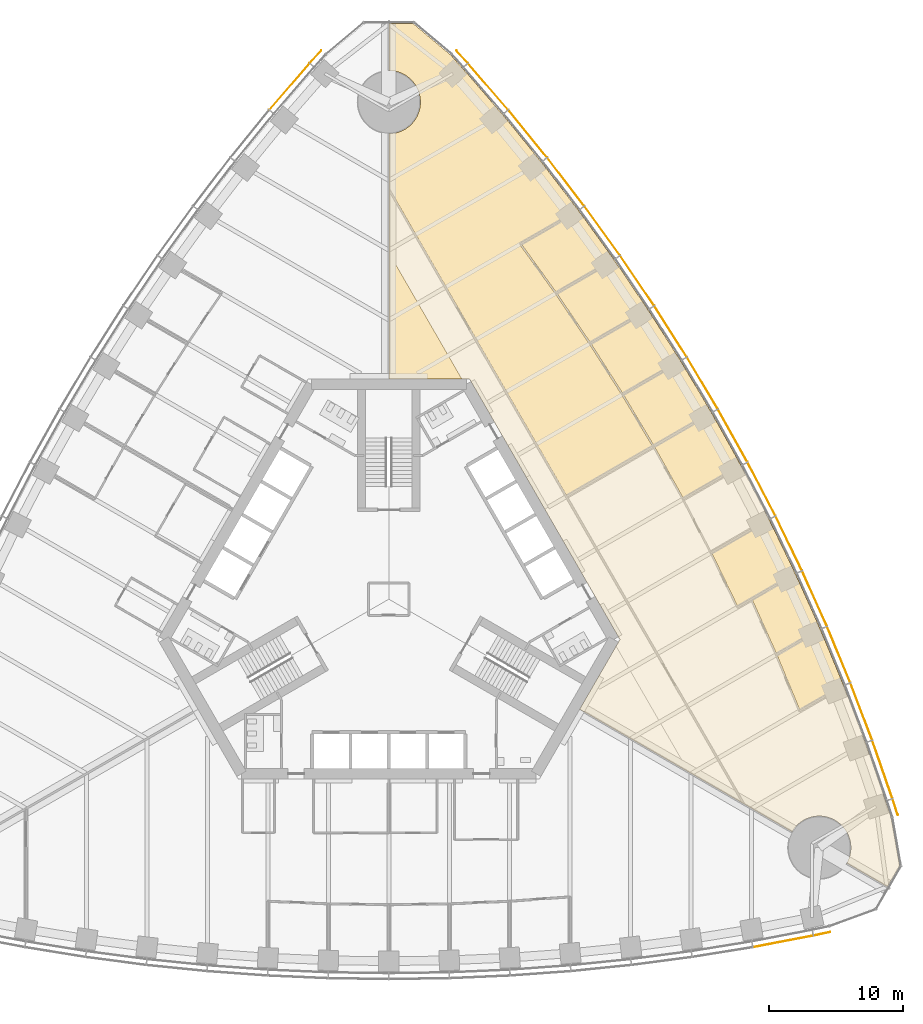
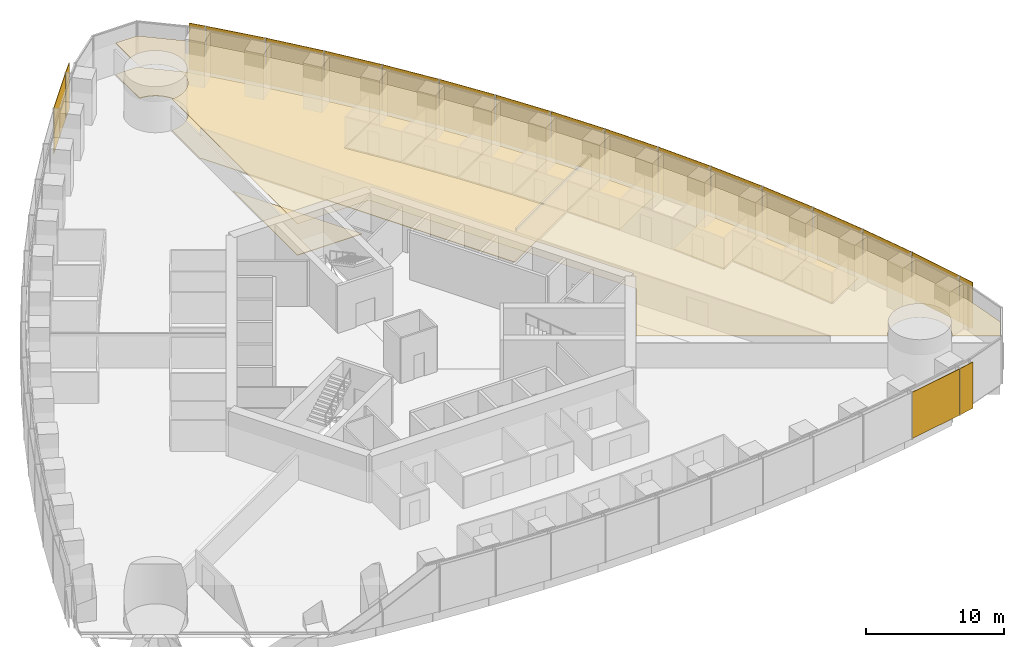
# One storey, part 16 of 18: 20 shading devices, 11 coverings.
"""IFC4 building model written with IfcOpenShell, lengths in metres."""

from ifc_helpers import new_model, si_unit, direction, frame, origin, origin_2d, place, context, subcontext, project, spatial, polyline, rectangle, outline, extrude, material, layer, layer_set, type_object, element, save


model = new_model("IFC4")

# Units and contexts
model_context = context("Model", 3, precision=1e-05, world=origin(), true_north=direction((0.0, 1.0)))
body_context = subcontext(model_context, "Body", "Model", "MODEL_VIEW")
ifc_project = project(units=[si_unit("LENGTHUNIT", "METRE"), si_unit("AREAUNIT", "SQUARE_METRE"), si_unit("VOLUMEUNIT", "CUBIC_METRE"), si_unit("PLANEANGLEUNIT", "RADIAN"), si_unit("MASSUNIT", "GRAM", prefix="KILO")], contexts=[model_context])

# Site, building, storey
site_placement = place(None, origin())
site = spatial("IfcSite", under=ifc_project, at=site_placement, CompositionType="ELEMENT")
building_placement = place(site_placement, origin())
building = spatial("IfcBuilding", under=site, at=building_placement, Name="Trefoil Bronze Tower", CompositionType="ELEMENT")
storey_placement = place(building_placement, frame((0.0, 0.0, 41.699951171875)))
storey = spatial("IfcBuildingStorey", under=building, at=storey_placement, Name="L09", CompositionType="ELEMENT", Elevation=41.699951171875)

# Shading devices
ifc_material_1 = material(Name="Perforated bronze sheet", Category="bronze")
ifc_layer_1 = layer(ifc_material_1, 0.0400390625)
ifc_layer_set_1 = layer_set([ifc_layer_1], Name="Bronze solar screen panel")
shading_device_type = type_object("IfcShadingDeviceType", Name="Bronze solar screen panel", PredefinedType="SHUTTER", material=ifc_layer_set_1)
shading_device_1_placement = place(storey_placement, frame((29.351806640625, -25.478515625, 0.050048828125), z_axis=(0.0, 0.0, 1.0), x_axis=(0.982049823817, 0.188621694249, 0.0)))
element("IfcShadingDevice", 1, at=shading_device_1_placement, inside=storey, type_object=shading_device_type, Name="Solar screen CW-A L09 F1 bay 15", PredefinedType="SHUTTER", context=body_context, shape_type="SweptSolid", body=[
    extrude(rectangle(XDim=4.55224609375, YDim=0.0400390625, at=origin_2d()), origin(), (0.0, 0.0, 1.0), 4.10009765625),
])
for number, where, z_axis, x_axis, name in (
    (2, (32.2431640625, -24.91064453125, 0.050048828125), (0.0, 0.0, 1.0), (0.978302717041, 0.207180582657, 0.0), "Solar screen CW-A L09 F1 bay 16"),
    (3, (37.69482421875, -15.468017578125, 0.050048828125), (0.0, 0.0, 1.0), (-0.309727710769, 0.950825296877, 0.0), "Solar screen CW-A L09 F2 bay 1"),
):
    element("IfcShadingDevice", number, at=place(storey_placement, frame(where, z_axis=z_axis, x_axis=x_axis)), inside=storey, type_object=shading_device_type, Name=name, PredefinedType="SHUTTER", context=body_context, shape_type="SweptSolid", body=[
        extrude(rectangle(XDim=1.260498046875, YDim=0.0400390625, at=origin_2d()), origin(), (0.0, 0.0, 1.0), 4.10009765625),
    ])
shading_device_2_placement = place(storey_placement, frame((36.740966796875, -12.68017578125, 0.050048828125), z_axis=(0.0, 0.0, 1.0), x_axis=(-0.327673732984, 0.944790942332, 0.0)))
element("IfcShadingDevice", 4, at=shading_device_2_placement, inside=storey, type_object=shading_device_type, Name="Solar screen CW-A L09 F2 bay 2", PredefinedType="SHUTTER", context=body_context, shape_type="SweptSolid", body=[
    extrude(rectangle(XDim=4.55224609375, YDim=0.0400390625, at=origin_2d()), origin(), (0.0, 0.0, 1.0), 4.10009765625),
])
shading_device_3_placement = place(storey_placement, frame((35.1748046875, -8.3701171875, 0.050048828125), z_axis=(0.0, 0.0, 1.0), x_axis=(-0.355370585687, 0.934725492767, 0.0)))
element("IfcShadingDevice", 5, at=shading_device_3_placement, inside=storey, type_object=shading_device_type, Name="Solar screen CW-A L09 F2 bay 3", PredefinedType="SHUTTER", context=body_context, shape_type="SweptSolid", body=[
    extrude(rectangle(XDim=4.5283203125, YDim=0.0400390625, at=origin_2d()), origin(), (0.0, 0.0, 1.0), 4.10009765625),
])
shading_device_4_placement = place(storey_placement, frame((33.49072265625, -4.128173828125, 0.050048828125), z_axis=(0.0, 0.0, 1.0), x_axis=(-0.382629580712, 0.923901836758, 0.0)))
element("IfcShadingDevice", 6, at=shading_device_4_placement, inside=storey, type_object=shading_device_type, Name="Solar screen CW-A L09 F2 bay 4", PredefinedType="SHUTTER", context=body_context, shape_type="SweptSolid", body=[
    extrude(rectangle(XDim=4.5087890625, YDim=0.0400390625, at=origin_2d()), origin(), (0.0, 0.0, 1.0), 4.10009765625),
])
shading_device_5_placement = place(storey_placement, frame((31.68994140625, 0.04638671875, 0.050048828125), z_axis=(0.0, 0.0, 1.0), x_axis=(-0.40945635808, 0.912329705111, 0.0)))
element("IfcShadingDevice", 7, at=shading_device_5_placement, inside=storey, type_object=shading_device_type, Name="Solar screen CW-A L09 F2 bay 5", PredefinedType="SHUTTER", context=body_context, shape_type="SweptSolid", body=[
    extrude(rectangle(XDim=4.493408203125, YDim=0.0400390625, at=origin_2d()), origin(), (0.0, 0.0, 1.0), 4.10009765625),
])
shading_device_6_placement = place(storey_placement, frame((29.77392578125, 4.154541015625, 0.050048828125), z_axis=(0.0, 0.0, 1.0), x_axis=(-0.4358553457, 0.900016731858, 0.0)))
element("IfcShadingDevice", 8, at=shading_device_6_placement, inside=storey, type_object=shading_device_type, Name="Solar screen CW-A L09 F2 bay 6", PredefinedType="SHUTTER", context=body_context, shape_type="SweptSolid", body=[
    extrude(rectangle(XDim=4.48193359375, YDim=0.0400390625, at=origin_2d()), origin(), (0.0, 0.0, 1.0), 4.10009765625),
])
shading_device_7_placement = place(storey_placement, frame((27.74365234375, 8.1962890625, 0.050048828125), z_axis=(0.0, 0.0, 1.0), x_axis=(-0.46182981834, 0.886968555752, 0.0)))
element("IfcShadingDevice", 9, at=shading_device_7_placement, inside=storey, type_object=shading_device_type, Name="Solar screen CW-A L09 F2 bay 7", PredefinedType="SHUTTER", context=body_context, shape_type="SweptSolid", body=[
    extrude(rectangle(XDim=4.474365234375, YDim=0.0400390625, at=origin_2d()), origin(), (0.0, 0.0, 1.0), 4.10009765625),
])
for number, where, z_axis, x_axis, name in (
    (10, (25.599365234375, 12.172607421875, 0.050048828125), (0.0, 0.0, 1.0), (-0.487381940453, 0.873188893722, 0.0), "Solar screen CW-A L09 F2 bay 8"),
    (11, (23.341552734375, 16.083251953125, 0.050048828125), (0.0, 0.0, 1.0), (-0.51251279404, 0.858679588639, 0.0), "Solar screen CW-A L09 F2 bay 9"),
):
    element("IfcShadingDevice", number, at=place(storey_placement, frame(where, z_axis=z_axis, x_axis=x_axis)), inside=storey, type_object=shading_device_type, Name=name, PredefinedType="SHUTTER", context=body_context, shape_type="SweptSolid", body=[
        extrude(rectangle(XDim=4.470458984375, YDim=0.0400390625, at=origin_2d()), origin(), (0.0, 0.0, 1.0), 4.10009765625),
    ])
shading_device_8_placement = place(storey_placement, frame((20.97021484375, 19.928466796875, 0.050048828125), z_axis=(0.0, 0.0, 1.0), x_axis=(-0.537222392469, 0.843440632783, 0.0)))
element("IfcShadingDevice", 12, at=shading_device_8_placement, inside=storey, type_object=shading_device_type, Name="Solar screen CW-A L09 F2 bay 10", PredefinedType="SHUTTER", context=body_context, shape_type="SweptSolid", body=[
    extrude(rectangle(XDim=4.474365234375, YDim=0.0400390625, at=origin_2d()), origin(), (0.0, 0.0, 1.0), 4.10009765625),
])
shading_device_9_placement = place(storey_placement, frame((18.48486328125, 23.707763671875, 0.050048828125), z_axis=(0.0, 0.0, 1.0), x_axis=(-0.56150968077, 0.827470167681, 0.0)))
element("IfcShadingDevice", 13, at=shading_device_9_placement, inside=storey, type_object=shading_device_type, Name="Solar screen CW-A L09 F2 bay 11", PredefinedType="SHUTTER", context=body_context, shape_type="SweptSolid", body=[
    extrude(rectangle(XDim=4.48193359375, YDim=0.0400390625, at=origin_2d()), origin(), (0.0, 0.0, 1.0), 4.10009765625),
])
shading_device_10_placement = place(storey_placement, frame((15.88525390625, 27.421142578125, 0.050048828125), z_axis=(0.0, 0.0, 1.0), x_axis=(-0.585372522213, 0.810764460394, 0.0)))
element("IfcShadingDevice", 14, at=shading_device_10_placement, inside=storey, type_object=shading_device_type, Name="Solar screen CW-A L09 F2 bay 12", PredefinedType="SHUTTER", context=body_context, shape_type="SweptSolid", body=[
    extrude(rectangle(XDim=4.493408203125, YDim=0.0400390625, at=origin_2d()), origin(), (0.0, 0.0, 1.0), 4.10009765625),
])
shading_device_11_placement = place(storey_placement, frame((13.170166015625, 31.06787109375, 0.050048828125), z_axis=(0.0, 0.0, 1.0), x_axis=(-0.608807670879, 0.793317855515, 0.0)))
element("IfcShadingDevice", 15, at=shading_device_11_placement, inside=storey, type_object=shading_device_type, Name="Solar screen CW-A L09 F2 bay 13", PredefinedType="SHUTTER", context=body_context, shape_type="SweptSolid", body=[
    extrude(rectangle(XDim=4.5087890625, YDim=0.0400390625, at=origin_2d()), origin(), (0.0, 0.0, 1.0), 4.10009765625),
])
shading_device_12_placement = place(storey_placement, frame((10.338623046875, 34.6474609375, 0.050048828125), z_axis=(0.0, 0.0, 1.0), x_axis=(-0.631810729457, 0.775122701346, 0.0)))
element("IfcShadingDevice", 16, at=shading_device_12_placement, inside=storey, type_object=shading_device_type, Name="Solar screen CW-A L09 F2 bay 14", PredefinedType="SHUTTER", context=body_context, shape_type="SweptSolid", body=[
    extrude(rectangle(XDim=4.5283203125, YDim=0.0400390625, at=origin_2d()), origin(), (0.0, 0.0, 1.0), 4.10009765625),
])
shading_device_13_placement = place(storey_placement, frame((7.38916015625, 38.15869140625, 0.050048828125), z_axis=(0.0, 0.0, 1.0), x_axis=(-0.654376090833, 0.756169248083, 0.0)))
element("IfcShadingDevice", 17, at=shading_device_13_placement, inside=storey, type_object=shading_device_type, Name="Solar screen CW-A L09 F2 bay 15", PredefinedType="SHUTTER", context=body_context, shape_type="SweptSolid", body=[
    extrude(rectangle(XDim=4.55224609375, YDim=0.0400390625, at=origin_2d()), origin(), (0.0, 0.0, 1.0), 4.10009765625),
])
for number, where, z_axis, x_axis, name in (
    (18, (5.45166015625, 40.378662109375, 0.050048828125), (0.0, 0.0, 1.0), (-0.668575006272, 0.743644714221, 0.0), "Solar screen CW-A L09 F2 bay 16"),
    (19, (-5.45166015625, 40.378662109375, 0.050048828125), (0.0, 0.0, 1.0), (-0.668575006272, -0.743644714221, 0.0), "Solar screen CW-A L09 F3 bay 1"),
):
    element("IfcShadingDevice", number, at=place(storey_placement, frame(where, z_axis=z_axis, x_axis=x_axis)), inside=storey, type_object=shading_device_type, Name=name, PredefinedType="SHUTTER", context=body_context, shape_type="SweptSolid", body=[
        extrude(rectangle(XDim=1.260498046875, YDim=0.0400390625, at=origin_2d()), origin(), (0.0, 0.0, 1.0), 4.10009765625),
    ])
shading_device_14_placement = place(storey_placement, frame((-7.38916015625, 38.15869140625, 0.050048828125), z_axis=(0.0, 0.0, 1.0), x_axis=(-0.654376090833, -0.756169248083, 0.0)))
element("IfcShadingDevice", 20, at=shading_device_14_placement, inside=storey, type_object=shading_device_type, Name="Solar screen CW-A L09 F3 bay 2", PredefinedType="SHUTTER", context=body_context, shape_type="SweptSolid", body=[
    extrude(rectangle(XDim=4.55224609375, YDim=0.0400390625, at=origin_2d()), origin(), (0.0, 0.0, 1.0), 4.10009765625),
])

# Coverings
ifc_material_2 = material(Name="Acoustic ceiling panels", Category="mineral fibre")
ifc_layer_2 = layer(ifc_material_2, 0.02001953125)
ifc_layer_set_2 = layer_set([ifc_layer_2], Name="Office ceiling 20")
covering_type_1 = type_object("IfcCoveringType", Name="Office ceiling 20", PredefinedType="CEILING", material=ifc_layer_set_2)
covering_1_placement = place(storey_placement, frame((0.0, 0.0, 2.900146484375)))
element("IfcCovering", 21, at=covering_1_placement, inside=storey, type_object=covering_type_1, Name="Ceiling L09 Open-plan office F2", PredefinedType="CEILING", context=body_context, shape_type="SweptSolid", body=[
    extrude(outline(polyline([(5.4814453125, 39.537841796875), (8.47998046875, 36.072998046875), (11.360107421875, 32.53955078125), (14.123291015625, 28.938720703125), (16.771240234375, 25.271484375), (19.3046875, 21.537841796875), (21.724609375, 17.73876953125), (24.031005859375, 13.87451171875), (26.224609375, 9.944580078125), (28.3046875, 5.949462890625), (30.271240234375, 1.888671875), (32.123291015625, -2.23828125), (33.860107421875, -6.431640625), (35.47998046875, -10.6923828125), (36.9814453125, -15.021728515625), (37.381103515625, -16.248779296875), (38.0146484375, -19.841552734375), (37.110595703125, -21.4072265625), (34.084716796875, -19.661865234375), (34.115478515625, -19.60791015625), (34.167236328125, -19.5048828125), (34.214111328125, -19.3994140625), (34.255615234375, -19.291748046875), (34.291748046875, -19.18212890625), (34.322509765625, -19.071044921875), (34.347900390625, -18.95849609375), (34.367431640625, -18.8447265625), (34.381591796875, -18.730224609375), (34.39013671875, -18.615234375), (34.392822265625, -18.5), (34.39013671875, -18.384765625), (34.381591796875, -18.269775390625), (34.367431640625, -18.1552734375), (34.347900390625, -18.04150390625), (34.322509765625, -17.928955078125), (34.291748046875, -17.81787109375), (34.255615234375, -17.708251953125), (34.214111328125, -17.6005859375), (34.167236328125, -17.4951171875), (34.115478515625, -17.39208984375), (34.05859375, -17.2919921875), (33.996826171875, -17.1943359375), (33.930419921875, -17.10009765625), (33.859619140625, -17.00927734375), (33.7841796875, -16.921875), (33.70458984375, -16.83837890625), (33.62109375, -16.7587890625), (33.53369140625, -16.683349609375), (33.44287109375, -16.612548828125), (33.348388671875, -16.5458984375), (33.251220703125, -16.484375), (33.150634765625, -16.427490234375), (33.047607421875, -16.37548828125), (32.942138671875, -16.328857421875), (32.834716796875, -16.287353515625), (32.72509765625, -16.251220703125), (32.614013671875, -16.220458984375), (32.50146484375, -16.1953125), (32.3876953125, -16.17529296875), (32.273193359375, -16.161376953125), (32.158203125, -16.15283203125), (32.04296875, -16.14990234375), (31.927490234375, -16.15283203125), (31.8125, -16.161376953125), (31.697998046875, -16.17529296875), (31.58447265625, -16.1953125), (31.471923828125, -16.220458984375), (31.36083984375, -16.251220703125), (31.251220703125, -16.287353515625), (31.1435546875, -16.328857421875), (31.0380859375, -16.37548828125), (30.935302734375, -16.427490234375), (30.834716796875, -16.484375), (30.7373046875, -16.5458984375), (30.64306640625, -16.612548828125), (30.552001953125, -16.683349609375), (30.46484375, -16.7587890625), (30.381103515625, -16.83837890625), (30.3017578125, -16.921875), (30.226318359375, -17.00927734375), (30.155517578125, -17.10009765625), (30.089111328125, -17.1943359375), (30.02734375, -17.2919921875), (30.0146484375, -17.31396484375), (14.205810546875, -8.194580078125), (17.205078125, -3.0), (6.00439453125, 16.39990234375), (0.006103515625, 16.39990234375), (0.012939453125, 34.650390625), (0.115234375, 34.65283203125), (0.230224609375, 34.661376953125), (0.3447265625, 34.67529296875), (0.45849609375, 34.6953125), (0.571044921875, 34.720458984375), (0.68212890625, 34.751220703125), (0.791748046875, 34.787353515625), (0.8994140625, 34.828857421875), (1.0048828125, 34.87548828125), (1.10791015625, 34.927490234375), (1.2080078125, 34.984375), (1.3056640625, 35.0458984375), (1.39990234375, 35.112548828125), (1.49072265625, 35.183349609375), (1.578125, 35.2587890625), (1.66162109375, 35.33837890625), (1.7412109375, 35.421875), (1.816650390625, 35.50927734375), (1.887451171875, 35.60009765625), (1.9541015625, 35.6943359375), (2.015625, 35.7919921875), (2.072509765625, 35.89208984375), (2.12451171875, 35.9951171875), (2.171142578125, 36.1005859375), (2.212646484375, 36.208251953125), (2.248779296875, 36.31787109375), (2.279541015625, 36.428955078125), (2.3046875, 36.54150390625), (2.32470703125, 36.6552734375), (2.338623046875, 36.769775390625), (2.34716796875, 36.884765625), (2.35009765625, 37.0), (2.34716796875, 37.115234375), (2.338623046875, 37.230224609375), (2.32470703125, 37.3447265625), (2.3046875, 37.45849609375), (2.279541015625, 37.571044921875), (2.248779296875, 37.68212890625), (2.212646484375, 37.791748046875), (2.171142578125, 37.8994140625), (2.12451171875, 38.0048828125), (2.072509765625, 38.10791015625), (2.015625, 38.2080078125), (1.9541015625, 38.3056640625), (1.887451171875, 38.39990234375), (1.816650390625, 38.49072265625), (1.7412109375, 38.578125), (1.66162109375, 38.66162109375), (1.578125, 38.7412109375), (1.49072265625, 38.816650390625), (1.39990234375, 38.887451171875), (1.3056640625, 38.9541015625), (1.2080078125, 39.015625), (1.10791015625, 39.072509765625), (1.0048828125, 39.12451171875), (0.8994140625, 39.171142578125), (0.791748046875, 39.212646484375), (0.68212890625, 39.248779296875), (0.571044921875, 39.279541015625), (0.45849609375, 39.3046875), (0.3447265625, 39.32470703125), (0.230224609375, 39.338623046875), (0.115234375, 39.34716796875), (0.014892578125, 39.349609375), (0.01611328125, 42.84228515625), (1.82421875, 42.84228515625), (4.618896484375, 40.497314453125), (5.4814453125, 39.537841796875)])), origin(), (0.0, 0.0, 1.0), 0.02001953125),
])
ifc_material_3 = material(Name="Raised access floor panels", Category="steel")
ifc_layer_3 = layer(ifc_material_3, 0.050048828125)
ifc_layer_set_3 = layer_set([ifc_layer_3], Name="Raised access floor 150")
covering_type_2 = type_object("IfcCoveringType", Name="Raised access floor 150", PredefinedType="FLOORING", material=ifc_layer_set_3)
covering_2_placement = place(storey_placement, frame((0.0, 0.0, 0.10009765625)))
element("IfcCovering", 22, at=covering_2_placement, inside=storey, type_object=covering_type_2, Name="Raised floor L09 Office F2", PredefinedType="FLOORING", context=body_context, shape_type="SweptSolid", body=[
    extrude(outline(polyline([(16.771240234375, 25.271484375), (15.397705078125, 24.478515625), (15.367919921875, 24.5302734375), (12.4580078125, 22.850341796875), (9.880859375, 26.419921875), (12.77587890625, 28.091552734375), (12.745849609375, 28.143310546875), (14.123291015625, 28.938720703125), (16.771240234375, 25.271484375)])), origin(), (0.0, 0.0, 1.0), 0.050048828125),
])
covering_3_placement = place(storey_placement, frame((0.0, 0.0, 0.10009765625)))
element("IfcCovering", 23, at=covering_3_placement, inside=storey, type_object=covering_type_2, Name="Raised floor L09 Office F2", PredefinedType="FLOORING", context=body_context, shape_type="SweptSolid", body=[
    extrude(outline(polyline([(16.771240234375, 25.271484375), (19.3046875, 21.537841796875), (17.93408203125, 20.74658203125), (17.904052734375, 20.798583984375), (14.992919921875, 19.117919921875), (12.527099609375, 22.751708984375), (15.427734375, 24.426513671875), (15.397705078125, 24.478515625), (16.771240234375, 25.271484375)])), origin(), (0.0, 0.0, 1.0), 0.050048828125),
])
covering_4_placement = place(storey_placement, frame((0.0, 0.0, 0.10009765625)))
element("IfcCovering", 24, at=covering_4_placement, inside=storey, type_object=covering_type_2, Name="Raised floor L09 Office F2", PredefinedType="FLOORING", context=body_context, shape_type="SweptSolid", body=[
    extrude(outline(polyline([(21.724609375, 17.73876953125), (20.355712890625, 16.948486328125), (20.32568359375, 17.00048828125), (17.414306640625, 15.319580078125), (15.058837890625, 19.017333984375), (17.964111328125, 20.694580078125), (17.93408203125, 20.74658203125), (19.3046875, 21.537841796875), (21.724609375, 17.73876953125)])), origin(), (0.0, 0.0, 1.0), 0.050048828125),
])
covering_5_placement = place(storey_placement, frame((0.0, 0.0, 0.10009765625)))
element("IfcCovering", 25, at=covering_5_placement, inside=storey, type_object=covering_type_2, Name="Raised floor L09 Office F2", PredefinedType="FLOORING", context=body_context, shape_type="SweptSolid", body=[
    extrude(outline(polyline([(21.724609375, 17.73876953125), (24.031005859375, 13.87451171875), (22.662841796875, 13.08447265625), (22.625244140625, 13.1494140625), (19.714599609375, 11.46875), (17.47705078125, 15.21728515625), (20.385498046875, 16.896484375), (20.355712890625, 16.948486328125), (21.724609375, 17.73876953125)])), origin(), (0.0, 0.0, 1.0), 0.050048828125),
])
covering_6_placement = place(storey_placement, frame((0.0, 0.0, 0.10009765625)))
element("IfcCovering", 26, at=covering_6_placement, inside=storey, type_object=covering_type_2, Name="Raised floor L09 Office F2", PredefinedType="FLOORING", context=body_context, shape_type="SweptSolid", body=[
    extrude(outline(polyline([(24.031005859375, 13.87451171875), (26.224609375, 9.944580078125), (24.855712890625, 9.154296875), (24.82568359375, 9.206298828125), (21.9169921875, 7.527099609375), (19.78955078125, 11.3388671875), (22.7001953125, 13.019287109375), (22.662841796875, 13.08447265625), (24.031005859375, 13.87451171875)])), origin(), (0.0, 0.0, 1.0), 0.050048828125),
])
covering_7_placement = place(storey_placement, frame((0.0, 0.0, 0.10009765625)))
element("IfcCovering", 27, at=covering_7_placement, inside=storey, type_object=covering_type_2, Name="Raised floor L09 Meeting room F2", PredefinedType="FLOORING", context=body_context, shape_type="SweptSolid", body=[
    extrude(outline(polyline([(28.3046875, 5.949462890625), (30.271240234375, 1.888671875), (28.897705078125, 1.095703125), (28.867919921875, 1.147705078125), (25.967041015625, -0.527099609375), (24.052978515625, 3.42529296875), (26.964111328125, 5.106201171875), (26.93408203125, 5.158203125), (28.3046875, 5.949462890625)])), origin(), (0.0, 0.0, 1.0), 0.050048828125),
])
covering_8_placement = place(storey_placement, frame((0.0, 0.0, 0.10009765625)))
element("IfcCovering", 28, at=covering_8_placement, inside=storey, type_object=covering_type_2, Name="Raised floor L09 Pantry F2", PredefinedType="FLOORING", context=body_context, shape_type="SweptSolid", body=[
    extrude(outline(polyline([(32.123291015625, -2.23828125), (30.745849609375, -3.033447265625), (30.7158203125, -2.9814453125), (28.860107421875, -4.052978515625), (27.057373046875, -0.0361328125), (28.927734375, 1.043701171875), (28.897705078125, 1.095703125), (30.271240234375, 1.888671875), (32.123291015625, -2.23828125)])), origin(), (0.0, 0.0, 1.0), 0.050048828125),
])
covering_9_placement = place(storey_placement, frame((0.0, 0.0, 0.10009765625)))
element("IfcCovering", 29, at=covering_9_placement, inside=storey, type_object=covering_type_2, Name="Raised floor L09 Pantry F2", PredefinedType="FLOORING", context=body_context, shape_type="SweptSolid", body=[
    extrude(outline(polyline([(32.123291015625, -2.23828125), (33.860107421875, -6.431640625), (32.477294921875, -7.22998046875), (32.447265625, -7.177978515625), (30.598388671875, -8.245361328125), (28.908203125, -4.163818359375), (30.77587890625, -3.08544921875), (30.745849609375, -3.033447265625), (32.123291015625, -2.23828125)])), origin(), (0.0, 0.0, 1.0), 0.050048828125),
])
covering_10_placement = place(storey_placement, frame((0.0, 0.0, 0.10009765625)))
element("IfcCovering", 30, at=covering_10_placement, inside=storey, type_object=covering_type_2, Name="Raised floor L09 Open-plan office F2", PredefinedType="FLOORING", context=body_context, shape_type="SweptSolid", body=[
    extrude(outline(polyline([(1.82421875, 42.84228515625), (4.618896484375, 40.497314453125), (5.4814453125, 39.537841796875), (8.47998046875, 36.072998046875), (11.360107421875, 32.53955078125), (14.123291015625, 28.938720703125), (12.745849609375, 28.143310546875), (12.7158203125, 28.1953125), (9.76318359375, 26.49072265625), (9.793212890625, 26.438720703125), (9.74462890625, 26.403564453125), (12.39208984375, 22.73681640625), (14.924560546875, 19.0048828125), (17.34326171875, 15.207275390625), (19.610595703125, 11.40869140625), (13.22998046875, 7.72509765625), (0.068359375, 30.521484375), (0.011474609375, 30.488525390625), (0.012939453125, 34.650390625), (0.115234375, 34.65283203125), (0.230224609375, 34.661376953125), (0.3447265625, 34.67529296875), (0.45849609375, 34.6953125), (0.571044921875, 34.720458984375), (0.68212890625, 34.751220703125), (0.791748046875, 34.787353515625), (0.8994140625, 34.828857421875), (1.0048828125, 34.87548828125), (1.10791015625, 34.927490234375), (1.2080078125, 34.984375), (1.3056640625, 35.0458984375), (1.39990234375, 35.112548828125), (1.49072265625, 35.183349609375), (1.578125, 35.2587890625), (1.66162109375, 35.33837890625), (1.7412109375, 35.421875), (1.816650390625, 35.50927734375), (1.887451171875, 35.60009765625), (1.9541015625, 35.6943359375), (2.015625, 35.7919921875), (2.072509765625, 35.89208984375), (2.12451171875, 35.9951171875), (2.171142578125, 36.1005859375), (2.212646484375, 36.208251953125), (2.248779296875, 36.31787109375), (2.279541015625, 36.428955078125), (2.3046875, 36.54150390625), (2.32470703125, 36.6552734375), (2.338623046875, 36.769775390625), (2.34716796875, 36.884765625), (2.35009765625, 37.0), (2.34716796875, 37.115234375), (2.338623046875, 37.230224609375), (2.32470703125, 37.3447265625), (2.3046875, 37.45849609375), (2.279541015625, 37.571044921875), (2.248779296875, 37.68212890625), (2.212646484375, 37.791748046875), (2.171142578125, 37.8994140625), (2.12451171875, 38.0048828125), (2.072509765625, 38.10791015625), (2.015625, 38.2080078125), (1.9541015625, 38.3056640625), (1.887451171875, 38.39990234375), (1.816650390625, 38.49072265625), (1.7412109375, 38.578125), (1.66162109375, 38.66162109375), (1.578125, 38.7412109375), (1.49072265625, 38.816650390625), (1.39990234375, 38.887451171875), (1.3056640625, 38.9541015625), (1.2080078125, 39.015625), (1.10791015625, 39.072509765625), (1.0048828125, 39.12451171875), (0.8994140625, 39.171142578125), (0.791748046875, 39.212646484375), (0.68212890625, 39.248779296875), (0.571044921875, 39.279541015625), (0.45849609375, 39.3046875), (0.3447265625, 39.32470703125), (0.230224609375, 39.338623046875), (0.115234375, 39.34716796875), (0.014892578125, 39.349609375), (0.01611328125, 42.84228515625), (1.82421875, 42.84228515625)])), origin(), (0.0, 0.0, 1.0), 0.050048828125),
])
covering_11_placement = place(storey_placement, frame((0.0, 0.0, 0.10009765625)))
element("IfcCovering", 31, at=covering_11_placement, inside=storey, type_object=covering_type_2, Name="Raised floor L09 Open-plan office F2", PredefinedType="FLOORING", context=body_context, shape_type="SweptSolid", body=[
    extrude(outline(polyline([(0.006103515625, 16.39990234375), (0.009765625, 25.783203125), (5.427001953125, 16.39990234375), (0.006103515625, 16.39990234375)])), origin(), (0.0, 0.0, 1.0), 0.050048828125),
])

save(model, "model.ifc")
